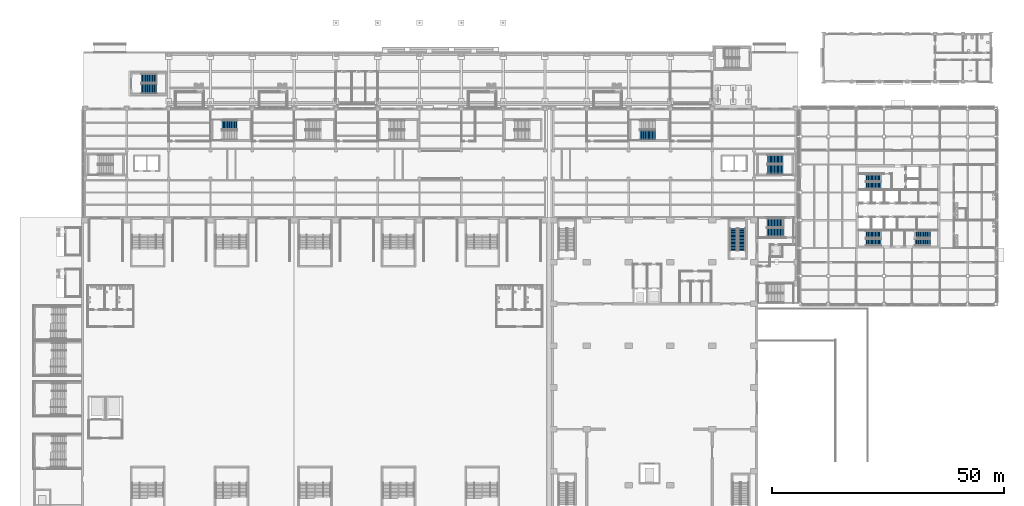
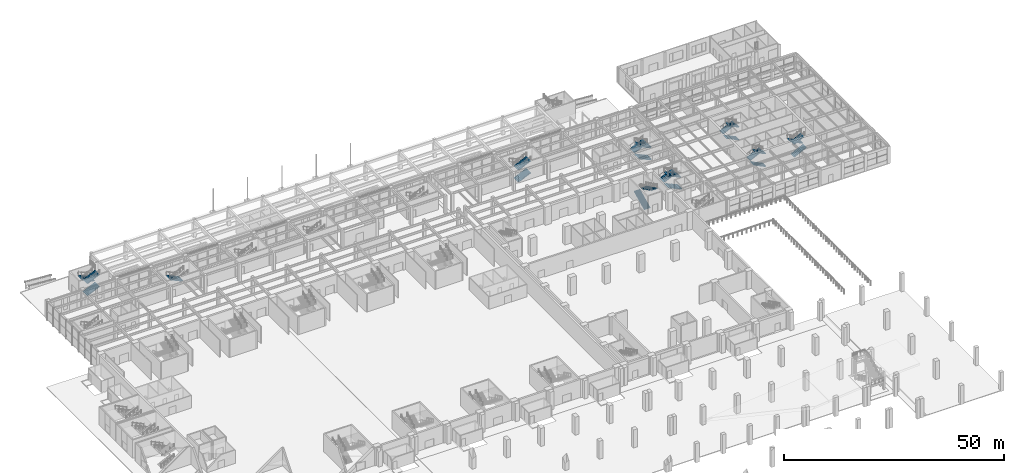
# One storey, part 59 of 77: 23 stair flights, 9 elements without a shape of their own.
"""IFC4 building model written with IfcOpenShell, lengths in metres."""

from ifc_helpers import new_model, si_unit, direction, frame, origin, place, context, subcontext, project, spatial, polyline, outline, extrude, material, type_object, element, aggregate, save


model = new_model("IFC4")

# Units and contexts
model_context = context("Model", 3, precision=1e-05, world=origin(), true_north=direction((0.0, 1.0)))
body_context = subcontext(model_context, "Body", "Model", "MODEL_VIEW")
ifc_project = project(units=[si_unit("LENGTHUNIT", "METRE"), si_unit("AREAUNIT", "SQUARE_METRE"), si_unit("VOLUMEUNIT", "CUBIC_METRE"), si_unit("PLANEANGLEUNIT", "RADIAN"), si_unit("MASSUNIT", "GRAM", prefix="KILO")], contexts=[model_context])

# Site, building, storey
site_placement = place(None, origin())
site = spatial("IfcSite", under=ifc_project, at=site_placement, CompositionType="ELEMENT")
building_placement = place(site_placement, origin())
building = spatial("IfcBuilding", under=site, at=building_placement, Name="Aravalli Gate Trade Fair Centre", CompositionType="ELEMENT")
storey_placement = place(building_placement, origin())
storey = spatial("IfcBuildingStorey", under=building, at=storey_placement, Name="L00", CompositionType="ELEMENT", Elevation=0.0)

# Stair, stair flights
ifc_material_1 = material(Name="Concrete M30", Category="concrete")
stair_type_1 = type_object("IfcStairType", Name="Concourse stair, 2000 wide", PredefinedType="HALF_TURN_STAIR", material=ifc_material_1)
stair_1_placement = place(storey_placement, origin())
stair_1 = element("IfcStair", 1, at=stair_1_placement, inside=storey, type_object=stair_type_1, Name="Stair ES L00", PredefinedType="HALF_TURN_STAIR")
stair_flight_type_1 = type_object("IfcStairFlightType", Name="Concourse stair flight 2000", PredefinedType="STRAIGHT", material=ifc_material_1)
stair_flight_1_placement = place(storey_placement, frame((156.199951171875, 119.89990234375, 0.0), z_axis=(0.0, 0.0, 1.0), x_axis=(-1.0, 0.0, 0.0)))
stair_flight_1 = element("IfcStairFlight", 2, at=stair_flight_1_placement, type_object=stair_flight_type_1, Name="STES-L00 flight 1", NumberOfRisers=12, NumberOfTreads=11, PredefinedType="STRAIGHT", RiserHeight=0.138888889, TreadLength=0.3, context=body_context, shape_type="SweptSolid", body=[
    extrude(outline(polyline([(0.0, 0.0), (0.0, 0.138916015625), (0.300048828125, 0.138916015625), (0.300048828125, 0.27783203125), (0.60009765625, 0.27783203125), (0.60009765625, 0.416748046875), (0.89990234375, 0.416748046875), (0.89990234375, 0.5556640625), (1.199951171875, 0.5556640625), (1.199951171875, 0.6943359375), (1.5, 0.6943359375), (1.5, 0.833251953125), (1.800048828125, 0.833251953125), (1.800048828125, 0.97216796875), (2.10009765625, 0.97216796875), (2.10009765625, 1.111083984375), (2.39990234375, 1.111083984375), (2.39990234375, 1.25), (2.699951171875, 1.25), (2.699951171875, 1.388916015625), (3.0, 1.388916015625), (3.0, 1.52783203125), (3.300048828125, 1.52783203125), (3.300048828125, 1.666748046875), (3.300048828125, 1.307373046875), (0.475830078125, 0.0), (0.0, 0.0)])), frame((0.0, 1.0, 0.0), z_axis=(0.0, -1.0, 0.0), x_axis=(1.0, 0.0, 0.0)), (0.0, 0.0, 1.0), 2.0),
])
stair_flight_2_placement = place(storey_placement, frame((152.89990234375, 122.10009765625, 1.666748046875), z_axis=(0.0, 0.0, 1.0), x_axis=(1.0, 0.0, 0.0)))
stair_flight_2 = element("IfcStairFlight", 3, at=stair_flight_2_placement, type_object=stair_flight_type_1, Name="STES-L00 flight 2", NumberOfRisers=12, NumberOfTreads=11, PredefinedType="STRAIGHT", RiserHeight=0.138888889, TreadLength=0.3, context=body_context, shape_type="SweptSolid", body=[
    extrude(outline(polyline([(0.0, 0.0), (0.0, 0.138916015625), (0.300048828125, 0.138916015625), (0.300048828125, 0.27783203125), (0.60009765625, 0.27783203125), (0.60009765625, 0.416748046875), (0.89990234375, 0.416748046875), (0.89990234375, 0.5556640625), (1.199951171875, 0.5556640625), (1.199951171875, 0.6943359375), (1.5, 0.6943359375), (1.5, 0.833251953125), (1.800048828125, 0.833251953125), (1.800048828125, 0.97216796875), (2.10009765625, 0.97216796875), (2.10009765625, 1.111083984375), (2.39990234375, 1.111083984375), (2.39990234375, 1.25), (2.699951171875, 1.25), (2.699951171875, 1.388916015625), (3.0, 1.388916015625), (3.0, 1.52783203125), (3.300048828125, 1.52783203125), (3.300048828125, 1.666748046875), (3.300048828125, 1.307373046875), (0.475830078125, 0.0), (0.0, 0.0)])), frame((0.0, 1.0, 0.0), z_axis=(0.0, -1.0, 0.0), x_axis=(1.0, 0.0, 0.0)), (0.0, 0.0, 1.0), 2.0),
])
stair_flight_3_placement = place(storey_placement, frame((156.199951171875, 119.89990234375, 3.333251953125), z_axis=(0.0, 0.0, 1.0), x_axis=(-1.0, 0.0, 0.0)))
stair_flight_3 = element("IfcStairFlight", 4, at=stair_flight_3_placement, type_object=stair_flight_type_1, Name="STES-L00 flight 3", NumberOfRisers=12, NumberOfTreads=11, PredefinedType="STRAIGHT", RiserHeight=0.138888889, TreadLength=0.3, context=body_context, shape_type="SweptSolid", body=[
    extrude(outline(polyline([(0.0, 0.0), (0.0, 0.138916015625), (0.300048828125, 0.138916015625), (0.300048828125, 0.27783203125), (0.60009765625, 0.27783203125), (0.60009765625, 0.416748046875), (0.89990234375, 0.416748046875), (0.89990234375, 0.5556640625), (1.199951171875, 0.5556640625), (1.199951171875, 0.6943359375), (1.5, 0.6943359375), (1.5, 0.833251953125), (1.800048828125, 0.833251953125), (1.800048828125, 0.97216796875), (2.10009765625, 0.97216796875), (2.10009765625, 1.111083984375), (2.39990234375, 1.111083984375), (2.39990234375, 1.25), (2.699951171875, 1.25), (2.699951171875, 1.388916015625), (3.0, 1.388916015625), (3.0, 1.52783203125), (3.300048828125, 1.52783203125), (3.300048828125, 1.666748046875), (3.300048828125, 1.307373046875), (0.475830078125, 0.0), (0.0, 0.0)])), frame((0.0, 1.0, 0.0), z_axis=(0.0, -1.0, 0.0), x_axis=(1.0, 0.0, 0.0)), (0.0, 0.0, 1.0), 2.0),
])
aggregate(stair_1, [stair_flight_1, stair_flight_2, stair_flight_3])

# Stair, stair flight
stair_2_placement = place(storey_placement, origin())
stair_2 = element("IfcStair", 5, at=stair_2_placement, inside=storey, type_object=stair_type_1, Name="Stair XA L00", PredefinedType="HALF_TURN_STAIR")
stair_flight_4_placement = place(storey_placement, frame((38.75, 129.5, 1.666748046875), z_axis=(0.0, 0.0, 1.0), x_axis=(-1.0, 0.0, 0.0)))
stair_flight_4 = element("IfcStairFlight", 6, at=stair_flight_4_placement, type_object=stair_flight_type_1, Name="STXA-L00 flight 2", NumberOfRisers=12, NumberOfTreads=11, PredefinedType="STRAIGHT", RiserHeight=0.138888889, TreadLength=0.3, context=body_context, shape_type="SweptSolid", body=[
    extrude(outline(polyline([(0.0, 0.0), (0.0, 0.138916015625), (0.300048828125, 0.138916015625), (0.300048828125, 0.27783203125), (0.60009765625, 0.27783203125), (0.60009765625, 0.416748046875), (0.89990234375, 0.416748046875), (0.89990234375, 0.5556640625), (1.199951171875, 0.5556640625), (1.199951171875, 0.6943359375), (1.5, 0.6943359375), (1.5, 0.833251953125), (1.800048828125, 0.833251953125), (1.800048828125, 0.97216796875), (2.10009765625, 0.97216796875), (2.10009765625, 1.111083984375), (2.39990234375, 1.111083984375), (2.39990234375, 1.25), (2.699951171875, 1.25), (2.699951171875, 1.388916015625), (3.0, 1.388916015625), (3.0, 1.52783203125), (3.300048828125, 1.52783203125), (3.300048828125, 1.666748046875), (3.300048828125, 1.307373046875), (0.475830078125, 0.0), (0.0, 0.0)])), frame((0.0, 1.0, 0.0), z_axis=(0.0, -1.0, 0.0), x_axis=(1.0, 0.0, 0.0)), (0.0, 0.0, 1.0), 2.0),
])
aggregate(stair_2, [stair_flight_4])

# Stair, stair flights
stair_3_placement = place(storey_placement, origin())
stair_3 = element("IfcStair", 7, at=stair_3_placement, inside=storey, type_object=stair_type_1, Name="Stair XE L00", PredefinedType="HALF_TURN_STAIR")
stair_flight_5_placement = place(storey_placement, frame((125.449951171875, 127.300048828125, 0.0), z_axis=(0.0, 0.0, 1.0), x_axis=(1.0, 0.0, 0.0)))
stair_flight_5 = element("IfcStairFlight", 8, at=stair_flight_5_placement, type_object=stair_flight_type_1, Name="STXE-L00 flight 1", NumberOfRisers=12, NumberOfTreads=11, PredefinedType="STRAIGHT", RiserHeight=0.138888889, TreadLength=0.3, context=body_context, shape_type="SweptSolid", body=[
    extrude(outline(polyline([(0.0, 0.0), (0.0, 0.138916015625), (0.300048828125, 0.138916015625), (0.300048828125, 0.27783203125), (0.60009765625, 0.27783203125), (0.60009765625, 0.416748046875), (0.89990234375, 0.416748046875), (0.89990234375, 0.5556640625), (1.199951171875, 0.5556640625), (1.199951171875, 0.6943359375), (1.5, 0.6943359375), (1.5, 0.833251953125), (1.800048828125, 0.833251953125), (1.800048828125, 0.97216796875), (2.10009765625, 0.97216796875), (2.10009765625, 1.111083984375), (2.39990234375, 1.111083984375), (2.39990234375, 1.25), (2.699951171875, 1.25), (2.699951171875, 1.388916015625), (3.0, 1.388916015625), (3.0, 1.52783203125), (3.300048828125, 1.52783203125), (3.300048828125, 1.666748046875), (3.300048828125, 1.307373046875), (0.475830078125, 0.0), (0.0, 0.0)])), frame((0.0, 1.0, 0.0), z_axis=(0.0, -1.0, 0.0), x_axis=(1.0, 0.0, 0.0)), (0.0, 0.0, 1.0), 2.0),
])
stair_flight_6_placement = place(storey_placement, frame((125.449951171875, 127.300048828125, 3.333251953125), z_axis=(0.0, 0.0, 1.0), x_axis=(1.0, 0.0, 0.0)))
stair_flight_6 = element("IfcStairFlight", 9, at=stair_flight_6_placement, type_object=stair_flight_type_1, Name="STXE-L00 flight 3", NumberOfRisers=12, NumberOfTreads=11, PredefinedType="STRAIGHT", RiserHeight=0.138888889, TreadLength=0.3, context=body_context, shape_type="SweptSolid", body=[
    extrude(outline(polyline([(0.0, 0.0), (0.0, 0.138916015625), (0.300048828125, 0.138916015625), (0.300048828125, 0.27783203125), (0.60009765625, 0.27783203125), (0.60009765625, 0.416748046875), (0.89990234375, 0.416748046875), (0.89990234375, 0.5556640625), (1.199951171875, 0.5556640625), (1.199951171875, 0.6943359375), (1.5, 0.6943359375), (1.5, 0.833251953125), (1.800048828125, 0.833251953125), (1.800048828125, 0.97216796875), (2.10009765625, 0.97216796875), (2.10009765625, 1.111083984375), (2.39990234375, 1.111083984375), (2.39990234375, 1.25), (2.699951171875, 1.25), (2.699951171875, 1.388916015625), (3.0, 1.388916015625), (3.0, 1.52783203125), (3.300048828125, 1.52783203125), (3.300048828125, 1.666748046875), (3.300048828125, 1.307373046875), (0.475830078125, 0.0), (0.0, 0.0)])), frame((0.0, 1.0, 0.0), z_axis=(0.0, -1.0, 0.0), x_axis=(1.0, 0.0, 0.0)), (0.0, 0.0, 1.0), 2.0),
])
aggregate(stair_3, [stair_flight_5, stair_flight_6])

stair_4_placement = place(storey_placement, origin())
stair_4 = element("IfcStair", 10, at=stair_4_placement, inside=storey, type_object=stair_type_1, Name="Stair AS L00", PredefinedType="HALF_TURN_STAIR")
stair_flight_7_placement = place(storey_placement, frame((18.10009765625, 137.300048828125, 0.0), z_axis=(0.0, 0.0, 1.0), x_axis=(1.0, 0.0, 0.0)))
stair_flight_7 = element("IfcStairFlight", 11, at=stair_flight_7_placement, type_object=stair_flight_type_1, Name="STAS-L00 flight 1", NumberOfRisers=12, NumberOfTreads=11, PredefinedType="STRAIGHT", RiserHeight=0.138888889, TreadLength=0.3, context=body_context, shape_type="SweptSolid", body=[
    extrude(outline(polyline([(0.0, 0.0), (0.0, 0.138916015625), (0.300048828125, 0.138916015625), (0.300048828125, 0.27783203125), (0.60009765625, 0.27783203125), (0.60009765625, 0.416748046875), (0.89990234375, 0.416748046875), (0.89990234375, 0.5556640625), (1.199951171875, 0.5556640625), (1.199951171875, 0.6943359375), (1.5, 0.6943359375), (1.5, 0.833251953125), (1.800048828125, 0.833251953125), (1.800048828125, 0.97216796875), (2.10009765625, 0.97216796875), (2.10009765625, 1.111083984375), (2.39990234375, 1.111083984375), (2.39990234375, 1.25), (2.699951171875, 1.25), (2.699951171875, 1.388916015625), (3.0, 1.388916015625), (3.0, 1.52783203125), (3.300048828125, 1.52783203125), (3.300048828125, 1.666748046875), (3.300048828125, 1.307373046875), (0.475830078125, 0.0), (0.0, 0.0)])), frame((0.0, 1.0, 0.0), z_axis=(0.0, -1.0, 0.0), x_axis=(1.0, 0.0, 0.0)), (0.0, 0.0, 1.0), 2.0),
])
stair_flight_8_placement = place(storey_placement, frame((21.39990234375, 139.5, 1.666748046875), z_axis=(0.0, 0.0, 1.0), x_axis=(-1.0, 0.0, 0.0)))
stair_flight_8 = element("IfcStairFlight", 12, at=stair_flight_8_placement, type_object=stair_flight_type_1, Name="STAS-L00 flight 2", NumberOfRisers=12, NumberOfTreads=11, PredefinedType="STRAIGHT", RiserHeight=0.138888889, TreadLength=0.3, context=body_context, shape_type="SweptSolid", body=[
    extrude(outline(polyline([(0.0, 0.0), (0.0, 0.138916015625), (0.300048828125, 0.138916015625), (0.300048828125, 0.27783203125), (0.60009765625, 0.27783203125), (0.60009765625, 0.416748046875), (0.89990234375, 0.416748046875), (0.89990234375, 0.5556640625), (1.199951171875, 0.5556640625), (1.199951171875, 0.6943359375), (1.5, 0.6943359375), (1.5, 0.833251953125), (1.800048828125, 0.833251953125), (1.800048828125, 0.97216796875), (2.10009765625, 0.97216796875), (2.10009765625, 1.111083984375), (2.39990234375, 1.111083984375), (2.39990234375, 1.25), (2.699951171875, 1.25), (2.699951171875, 1.388916015625), (3.0, 1.388916015625), (3.0, 1.52783203125), (3.300048828125, 1.52783203125), (3.300048828125, 1.666748046875), (3.300048828125, 1.307373046875), (0.475830078125, 0.0), (0.0, 0.0)])), frame((0.0, 1.0, 0.0), z_axis=(0.0, -1.0, 0.0), x_axis=(1.0, 0.0, 0.0)), (0.0, 0.0, 1.0), 2.0),
])
stair_flight_9_placement = place(storey_placement, frame((18.10009765625, 137.300048828125, 3.333251953125), z_axis=(0.0, 0.0, 1.0), x_axis=(1.0, 0.0, 0.0)))
stair_flight_9 = element("IfcStairFlight", 13, at=stair_flight_9_placement, type_object=stair_flight_type_1, Name="STAS-L00 flight 3", NumberOfRisers=12, NumberOfTreads=11, PredefinedType="STRAIGHT", RiserHeight=0.138888889, TreadLength=0.3, context=body_context, shape_type="SweptSolid", body=[
    extrude(outline(polyline([(0.0, 0.0), (0.0, 0.138916015625), (0.300048828125, 0.138916015625), (0.300048828125, 0.27783203125), (0.60009765625, 0.27783203125), (0.60009765625, 0.416748046875), (0.89990234375, 0.416748046875), (0.89990234375, 0.5556640625), (1.199951171875, 0.5556640625), (1.199951171875, 0.6943359375), (1.5, 0.6943359375), (1.5, 0.833251953125), (1.800048828125, 0.833251953125), (1.800048828125, 0.97216796875), (2.10009765625, 0.97216796875), (2.10009765625, 1.111083984375), (2.39990234375, 1.111083984375), (2.39990234375, 1.25), (2.699951171875, 1.25), (2.699951171875, 1.388916015625), (3.0, 1.388916015625), (3.0, 1.52783203125), (3.300048828125, 1.52783203125), (3.300048828125, 1.666748046875), (3.300048828125, 1.307373046875), (0.475830078125, 0.0), (0.0, 0.0)])), frame((0.0, 1.0, 0.0), z_axis=(0.0, -1.0, 0.0), x_axis=(1.0, 0.0, 0.0)), (0.0, 0.0, 1.0), 2.0),
])
aggregate(stair_4, [stair_flight_7, stair_flight_8, stair_flight_9])

ifc_material_2 = material(Name="Concrete M45", Category="concrete")
stair_type_2 = type_object("IfcStairType", Name="Congress exit stair", PredefinedType="HALF_TURN_STAIR", material=ifc_material_2)
stair_5_placement = place(storey_placement, origin())
stair_5 = element("IfcStair", 14, at=stair_5_placement, inside=storey, type_object=stair_type_2, Name="Foyer Stair East L00", PredefinedType="HALF_TURN_STAIR")
stair_flight_type_2 = type_object("IfcStairFlightType", Name="Congress exit stair flight", PredefinedType="STRAIGHT", material=ifc_material_2)
stair_flight_10_placement = place(storey_placement, frame((145.60009765625, 102.449951171875, 0.0), z_axis=(0.0, 0.0, 1.0), x_axis=(0.0, 1.0, 0.0)))
stair_flight_10 = element("IfcStairFlight", 15, at=stair_flight_10_placement, type_object=stair_flight_type_2, Name="GX4 flight 1", NumberOfRisers=17, NumberOfTreads=16, PredefinedType="STRAIGHT", RiserHeight=0.147058824, TreadLength=0.3, context=body_context, shape_type="SweptSolid", body=[
    extrude(outline(polyline([(0.0, 0.0), (0.0, 0.14697265625), (0.300048828125, 0.14697265625), (0.300048828125, 0.294189453125), (0.60009765625, 0.294189453125), (0.60009765625, 0.441162109375), (0.89990234375, 0.441162109375), (0.89990234375, 0.588134765625), (1.199951171875, 0.588134765625), (1.199951171875, 0.7353515625), (1.5, 0.7353515625), (1.5, 0.88232421875), (1.800048828125, 0.88232421875), (1.800048828125, 1.029296875), (2.10009765625, 1.029296875), (2.10009765625, 1.176513671875), (2.39990234375, 1.176513671875), (2.39990234375, 1.323486328125), (2.699951171875, 1.323486328125), (2.699951171875, 1.470703125), (3.0, 1.470703125), (3.0, 1.61767578125), (3.300048828125, 1.61767578125), (3.300048828125, 1.7646484375), (3.60009765625, 1.7646484375), (3.60009765625, 1.911865234375), (3.89990234375, 1.911865234375), (3.89990234375, 2.058837890625), (4.199951171875, 2.058837890625), (4.199951171875, 2.205810546875), (4.5, 2.205810546875), (4.5, 2.35302734375), (4.800048828125, 2.35302734375), (4.800048828125, 2.5), (4.800048828125, 2.18603515625), (0.340576171875, 0.0), (0.0, 0.0)])), frame((0.0, 0.800048828125, 0.0), z_axis=(0.0, -1.0, 0.0), x_axis=(1.0, 0.0, 0.0)), (0.0, 0.0, 1.0), 1.60009765625),
])
stair_flight_11_placement = place(storey_placement, frame((147.39990234375, 107.25, 2.5), z_axis=(0.0, 0.0, 1.0), x_axis=(0.0, -1.0, 0.0)))
stair_flight_11 = element("IfcStairFlight", 16, at=stair_flight_11_placement, type_object=stair_flight_type_2, Name="GX4 flight 2", NumberOfRisers=17, NumberOfTreads=16, PredefinedType="STRAIGHT", RiserHeight=0.147058824, TreadLength=0.3, context=body_context, shape_type="SweptSolid", body=[
    extrude(outline(polyline([(0.0, 0.0), (0.0, 0.14697265625), (0.300048828125, 0.14697265625), (0.300048828125, 0.294189453125), (0.60009765625, 0.294189453125), (0.60009765625, 0.441162109375), (0.89990234375, 0.441162109375), (0.89990234375, 0.588134765625), (1.199951171875, 0.588134765625), (1.199951171875, 0.7353515625), (1.5, 0.7353515625), (1.5, 0.88232421875), (1.800048828125, 0.88232421875), (1.800048828125, 1.029296875), (2.10009765625, 1.029296875), (2.10009765625, 1.176513671875), (2.39990234375, 1.176513671875), (2.39990234375, 1.323486328125), (2.699951171875, 1.323486328125), (2.699951171875, 1.470703125), (3.0, 1.470703125), (3.0, 1.61767578125), (3.300048828125, 1.61767578125), (3.300048828125, 1.7646484375), (3.60009765625, 1.7646484375), (3.60009765625, 1.911865234375), (3.89990234375, 1.911865234375), (3.89990234375, 2.058837890625), (4.199951171875, 2.058837890625), (4.199951171875, 2.205810546875), (4.5, 2.205810546875), (4.5, 2.35302734375), (4.800048828125, 2.35302734375), (4.800048828125, 2.5), (4.800048828125, 2.18603515625), (0.340576171875, 0.0), (0.0, 0.0)])), frame((0.0, 0.800048828125, 0.0), z_axis=(0.0, -1.0, 0.0), x_axis=(1.0, 0.0, 0.0)), (0.0, 0.0, 1.0), 1.60009765625),
])
aggregate(stair_5, [stair_flight_10, stair_flight_11])

stair_type_3 = type_object("IfcStairType", Name="Wing core stair", PredefinedType="HALF_TURN_STAIR", material=ifc_material_1)
stair_6_placement = place(storey_placement, origin())
stair_6 = element("IfcStair", 17, at=stair_6_placement, inside=storey, type_object=stair_type_3, Name="Stair S2 L00", PredefinedType="HALF_TURN_STAIR")
stair_flight_type_3 = type_object("IfcStairFlightType", Name="Wing core stair flight", PredefinedType="STRAIGHT", material=ifc_material_1)
stair_flight_12_placement = place(storey_placement, frame((177.35009765625, 104.27001953125, 0.0), z_axis=(0.0, 0.0, 1.0), x_axis=(-1.0, 0.0, 0.0)))
stair_flight_12 = element("IfcStairFlight", 18, at=stair_flight_12_placement, type_object=stair_flight_type_3, Name="TST1 flight 1", NumberOfRisers=12, NumberOfTreads=11, PredefinedType="STRAIGHT", RiserHeight=0.147058824, TreadLength=0.3, context=body_context, shape_type="SweptSolid", body=[
    extrude(outline(polyline([(0.0, 0.0), (0.0, 0.14697265625), (0.300048828125, 0.14697265625), (0.300048828125, 0.294189453125), (0.60009765625, 0.294189453125), (0.60009765625, 0.441162109375), (0.89990234375, 0.441162109375), (0.89990234375, 0.588134765625), (1.199951171875, 0.588134765625), (1.199951171875, 0.7353515625), (1.5, 0.7353515625), (1.5, 0.88232421875), (1.800048828125, 0.88232421875), (1.800048828125, 1.029296875), (2.10009765625, 1.029296875), (2.10009765625, 1.176513671875), (2.39990234375, 1.176513671875), (2.39990234375, 1.323486328125), (2.699951171875, 1.323486328125), (2.699951171875, 1.470703125), (3.0, 1.470703125), (3.0, 1.61767578125), (3.300048828125, 1.61767578125), (3.300048828125, 1.7646484375), (3.300048828125, 1.472900390625), (0.295166015625, 0.0), (0.0, 0.0)])), frame((0.0, 0.77001953125, 0.0), z_axis=(0.0, -1.0, 0.0), x_axis=(1.0, 0.0, 0.0)), (0.0, 0.0, 1.0), 1.5400390625),
])
stair_flight_13_placement = place(storey_placement, frame((174.050048828125, 105.929931640625, 1.7646484375), z_axis=(0.0, 0.0, 1.0), x_axis=(1.0, 0.0, 0.0)))
stair_flight_13 = element("IfcStairFlight", 19, at=stair_flight_13_placement, type_object=stair_flight_type_3, Name="TST1 flight 2", NumberOfRisers=12, NumberOfTreads=11, PredefinedType="STRAIGHT", RiserHeight=0.147058824, TreadLength=0.3, context=body_context, shape_type="SweptSolid", body=[
    extrude(outline(polyline([(0.0, 0.0), (0.0, 0.14697265625), (0.300048828125, 0.14697265625), (0.300048828125, 0.294189453125), (0.60009765625, 0.294189453125), (0.60009765625, 0.441162109375), (0.89990234375, 0.441162109375), (0.89990234375, 0.588134765625), (1.199951171875, 0.588134765625), (1.199951171875, 0.7353515625), (1.5, 0.7353515625), (1.5, 0.88232421875), (1.800048828125, 0.88232421875), (1.800048828125, 1.029296875), (2.10009765625, 1.029296875), (2.10009765625, 1.176513671875), (2.39990234375, 1.176513671875), (2.39990234375, 1.323486328125), (2.699951171875, 1.323486328125), (2.699951171875, 1.470703125), (3.0, 1.470703125), (3.0, 1.61767578125), (3.300048828125, 1.61767578125), (3.300048828125, 1.7646484375), (3.300048828125, 1.472900390625), (0.295166015625, 0.0), (0.0, 0.0)])), frame((0.0, 0.77001953125, 0.0), z_axis=(0.0, -1.0, 0.0), x_axis=(1.0, 0.0, 0.0)), (0.0, 0.0, 1.0), 1.5400390625),
])
stair_flight_14_placement = place(storey_placement, frame((177.35009765625, 104.27001953125, 3.529296875), z_axis=(0.0, 0.0, 1.0), x_axis=(-1.0, 0.0, 0.0)))
stair_flight_14 = element("IfcStairFlight", 20, at=stair_flight_14_placement, type_object=stair_flight_type_3, Name="TST1 flight 3", NumberOfRisers=10, NumberOfTreads=9, PredefinedType="STRAIGHT", RiserHeight=0.147058824, TreadLength=0.3, context=body_context, shape_type="SweptSolid", body=[
    extrude(outline(polyline([(0.0, 0.0), (0.0, 0.14697265625), (0.300048828125, 0.14697265625), (0.300048828125, 0.294189453125), (0.60009765625, 0.294189453125), (0.60009765625, 0.441162109375), (0.89990234375, 0.441162109375), (0.89990234375, 0.588134765625), (1.199951171875, 0.588134765625), (1.199951171875, 0.7353515625), (1.5, 0.7353515625), (1.5, 0.88232421875), (1.800048828125, 0.88232421875), (1.800048828125, 1.029296875), (2.10009765625, 1.029296875), (2.10009765625, 1.176513671875), (2.39990234375, 1.176513671875), (2.39990234375, 1.323486328125), (2.699951171875, 1.323486328125), (2.699951171875, 1.470703125), (2.699951171875, 1.178955078125), (0.295166015625, 0.0), (0.0, 0.0)])), frame((0.0, 0.77001953125, 0.0), z_axis=(0.0, -1.0, 0.0), x_axis=(1.0, 0.0, 0.0)), (0.0, 0.0, 1.0), 1.5400390625),
])
aggregate(stair_6, [stair_flight_12, stair_flight_13, stair_flight_14])

stair_7_placement = place(storey_placement, origin())
stair_7 = element("IfcStair", 21, at=stair_7_placement, inside=storey, type_object=stair_type_3, Name="Stair S1 L00", PredefinedType="HALF_TURN_STAIR")
stair_flight_15_placement = place(storey_placement, frame((184.64990234375, 104.27001953125, 0.0), z_axis=(0.0, 0.0, 1.0), x_axis=(1.0, 0.0, 0.0)))
stair_flight_15 = element("IfcStairFlight", 22, at=stair_flight_15_placement, type_object=stair_flight_type_3, Name="TST1 flight 1", NumberOfRisers=12, NumberOfTreads=11, PredefinedType="STRAIGHT", RiserHeight=0.147058824, TreadLength=0.3, context=body_context, shape_type="SweptSolid", body=[
    extrude(outline(polyline([(0.0, 0.0), (0.0, 0.14697265625), (0.300048828125, 0.14697265625), (0.300048828125, 0.294189453125), (0.60009765625, 0.294189453125), (0.60009765625, 0.441162109375), (0.89990234375, 0.441162109375), (0.89990234375, 0.588134765625), (1.199951171875, 0.588134765625), (1.199951171875, 0.7353515625), (1.5, 0.7353515625), (1.5, 0.88232421875), (1.800048828125, 0.88232421875), (1.800048828125, 1.029296875), (2.10009765625, 1.029296875), (2.10009765625, 1.176513671875), (2.39990234375, 1.176513671875), (2.39990234375, 1.323486328125), (2.699951171875, 1.323486328125), (2.699951171875, 1.470703125), (3.0, 1.470703125), (3.0, 1.61767578125), (3.300048828125, 1.61767578125), (3.300048828125, 1.7646484375), (3.300048828125, 1.472900390625), (0.295166015625, 0.0), (0.0, 0.0)])), frame((0.0, 0.77001953125, 0.0), z_axis=(0.0, -1.0, 0.0), x_axis=(1.0, 0.0, 0.0)), (0.0, 0.0, 1.0), 1.5400390625),
])
stair_flight_16_placement = place(storey_placement, frame((187.949951171875, 105.929931640625, 1.7646484375), z_axis=(0.0, 0.0, 1.0), x_axis=(-1.0, 0.0, 0.0)))
stair_flight_16 = element("IfcStairFlight", 23, at=stair_flight_16_placement, type_object=stair_flight_type_3, Name="TST1 flight 2", NumberOfRisers=12, NumberOfTreads=11, PredefinedType="STRAIGHT", RiserHeight=0.147058824, TreadLength=0.3, context=body_context, shape_type="SweptSolid", body=[
    extrude(outline(polyline([(0.0, 0.0), (0.0, 0.14697265625), (0.300048828125, 0.14697265625), (0.300048828125, 0.294189453125), (0.60009765625, 0.294189453125), (0.60009765625, 0.441162109375), (0.89990234375, 0.441162109375), (0.89990234375, 0.588134765625), (1.199951171875, 0.588134765625), (1.199951171875, 0.7353515625), (1.5, 0.7353515625), (1.5, 0.88232421875), (1.800048828125, 0.88232421875), (1.800048828125, 1.029296875), (2.10009765625, 1.029296875), (2.10009765625, 1.176513671875), (2.39990234375, 1.176513671875), (2.39990234375, 1.323486328125), (2.699951171875, 1.323486328125), (2.699951171875, 1.470703125), (3.0, 1.470703125), (3.0, 1.61767578125), (3.300048828125, 1.61767578125), (3.300048828125, 1.7646484375), (3.300048828125, 1.472900390625), (0.295166015625, 0.0), (0.0, 0.0)])), frame((0.0, 0.77001953125, 0.0), z_axis=(0.0, -1.0, 0.0), x_axis=(1.0, 0.0, 0.0)), (0.0, 0.0, 1.0), 1.5400390625),
])
stair_flight_17_placement = place(storey_placement, frame((184.64990234375, 104.27001953125, 3.529296875), z_axis=(0.0, 0.0, 1.0), x_axis=(1.0, 0.0, 0.0)))
stair_flight_17 = element("IfcStairFlight", 24, at=stair_flight_17_placement, type_object=stair_flight_type_3, Name="TST1 flight 3", NumberOfRisers=10, NumberOfTreads=9, PredefinedType="STRAIGHT", RiserHeight=0.147058824, TreadLength=0.3, context=body_context, shape_type="SweptSolid", body=[
    extrude(outline(polyline([(0.0, 0.0), (0.0, 0.14697265625), (0.300048828125, 0.14697265625), (0.300048828125, 0.294189453125), (0.60009765625, 0.294189453125), (0.60009765625, 0.441162109375), (0.89990234375, 0.441162109375), (0.89990234375, 0.588134765625), (1.199951171875, 0.588134765625), (1.199951171875, 0.7353515625), (1.5, 0.7353515625), (1.5, 0.88232421875), (1.800048828125, 0.88232421875), (1.800048828125, 1.029296875), (2.10009765625, 1.029296875), (2.10009765625, 1.176513671875), (2.39990234375, 1.176513671875), (2.39990234375, 1.323486328125), (2.699951171875, 1.323486328125), (2.699951171875, 1.470703125), (2.699951171875, 1.178955078125), (0.295166015625, 0.0), (0.0, 0.0)])), frame((0.0, 0.77001953125, 0.0), z_axis=(0.0, -1.0, 0.0), x_axis=(1.0, 0.0, 0.0)), (0.0, 0.0, 1.0), 1.5400390625),
])
aggregate(stair_7, [stair_flight_15, stair_flight_16, stair_flight_17])

stair_8_placement = place(storey_placement, origin())
stair_8 = element("IfcStair", 25, at=stair_8_placement, inside=storey, type_object=stair_type_3, Name="Stair FFS L00", PredefinedType="HALF_TURN_STAIR")
stair_flight_18_placement = place(storey_placement, frame((177.35009765625, 116.469970703125, 0.0), z_axis=(0.0, 0.0, 1.0), x_axis=(-1.0, 0.0, 0.0)))
stair_flight_18 = element("IfcStairFlight", 26, at=stair_flight_18_placement, type_object=stair_flight_type_3, Name="TST1 flight 1", NumberOfRisers=12, NumberOfTreads=11, PredefinedType="STRAIGHT", RiserHeight=0.147058824, TreadLength=0.3, context=body_context, shape_type="SweptSolid", body=[
    extrude(outline(polyline([(0.0, 0.0), (0.0, 0.14697265625), (0.300048828125, 0.14697265625), (0.300048828125, 0.294189453125), (0.60009765625, 0.294189453125), (0.60009765625, 0.441162109375), (0.89990234375, 0.441162109375), (0.89990234375, 0.588134765625), (1.199951171875, 0.588134765625), (1.199951171875, 0.7353515625), (1.5, 0.7353515625), (1.5, 0.88232421875), (1.800048828125, 0.88232421875), (1.800048828125, 1.029296875), (2.10009765625, 1.029296875), (2.10009765625, 1.176513671875), (2.39990234375, 1.176513671875), (2.39990234375, 1.323486328125), (2.699951171875, 1.323486328125), (2.699951171875, 1.470703125), (3.0, 1.470703125), (3.0, 1.61767578125), (3.300048828125, 1.61767578125), (3.300048828125, 1.7646484375), (3.300048828125, 1.472900390625), (0.295166015625, 0.0), (0.0, 0.0)])), frame((0.0, 0.77001953125, 0.0), z_axis=(0.0, -1.0, 0.0), x_axis=(1.0, 0.0, 0.0)), (0.0, 0.0, 1.0), 1.5400390625),
])
stair_flight_19_placement = place(storey_placement, frame((174.050048828125, 118.1298828125, 1.7646484375), z_axis=(0.0, 0.0, 1.0), x_axis=(1.0, 0.0, 0.0)))
stair_flight_19 = element("IfcStairFlight", 27, at=stair_flight_19_placement, type_object=stair_flight_type_3, Name="TST1 flight 2", NumberOfRisers=12, NumberOfTreads=11, PredefinedType="STRAIGHT", RiserHeight=0.147058824, TreadLength=0.3, context=body_context, shape_type="SweptSolid", body=[
    extrude(outline(polyline([(0.0, 0.0), (0.0, 0.14697265625), (0.300048828125, 0.14697265625), (0.300048828125, 0.294189453125), (0.60009765625, 0.294189453125), (0.60009765625, 0.441162109375), (0.89990234375, 0.441162109375), (0.89990234375, 0.588134765625), (1.199951171875, 0.588134765625), (1.199951171875, 0.7353515625), (1.5, 0.7353515625), (1.5, 0.88232421875), (1.800048828125, 0.88232421875), (1.800048828125, 1.029296875), (2.10009765625, 1.029296875), (2.10009765625, 1.176513671875), (2.39990234375, 1.176513671875), (2.39990234375, 1.323486328125), (2.699951171875, 1.323486328125), (2.699951171875, 1.470703125), (3.0, 1.470703125), (3.0, 1.61767578125), (3.300048828125, 1.61767578125), (3.300048828125, 1.7646484375), (3.300048828125, 1.472900390625), (0.295166015625, 0.0), (0.0, 0.0)])), frame((0.0, 0.77001953125, 0.0), z_axis=(0.0, -1.0, 0.0), x_axis=(1.0, 0.0, 0.0)), (0.0, 0.0, 1.0), 1.5400390625),
])
stair_flight_20_placement = place(storey_placement, frame((177.35009765625, 116.469970703125, 3.529296875), z_axis=(0.0, 0.0, 1.0), x_axis=(-1.0, 0.0, 0.0)))
stair_flight_20 = element("IfcStairFlight", 28, at=stair_flight_20_placement, type_object=stair_flight_type_3, Name="TST1 flight 3", NumberOfRisers=10, NumberOfTreads=9, PredefinedType="STRAIGHT", RiserHeight=0.147058824, TreadLength=0.3, context=body_context, shape_type="SweptSolid", body=[
    extrude(outline(polyline([(0.0, 0.0), (0.0, 0.14697265625), (0.300048828125, 0.14697265625), (0.300048828125, 0.294189453125), (0.60009765625, 0.294189453125), (0.60009765625, 0.441162109375), (0.89990234375, 0.441162109375), (0.89990234375, 0.588134765625), (1.199951171875, 0.588134765625), (1.199951171875, 0.7353515625), (1.5, 0.7353515625), (1.5, 0.88232421875), (1.800048828125, 0.88232421875), (1.800048828125, 1.029296875), (2.10009765625, 1.029296875), (2.10009765625, 1.176513671875), (2.39990234375, 1.176513671875), (2.39990234375, 1.323486328125), (2.699951171875, 1.323486328125), (2.699951171875, 1.470703125), (2.699951171875, 1.178955078125), (0.295166015625, 0.0), (0.0, 0.0)])), frame((0.0, 0.77001953125, 0.0), z_axis=(0.0, -1.0, 0.0), x_axis=(1.0, 0.0, 0.0)), (0.0, 0.0, 1.0), 1.5400390625),
])
aggregate(stair_8, [stair_flight_18, stair_flight_19, stair_flight_20])

stair_9_placement = place(storey_placement, origin())
stair_9 = element("IfcStair", 29, at=stair_9_placement, inside=storey, type_object=stair_type_3, Name="Stair LB L00", PredefinedType="HALF_TURN_STAIR")
stair_flight_21_placement = place(storey_placement, frame((156.39990234375, 106.35009765625, 0.0), z_axis=(0.0, 0.0, 1.0), x_axis=(-1.0, 0.0, 0.0)))
stair_flight_21 = element("IfcStairFlight", 30, at=stair_flight_21_placement, type_object=stair_flight_type_3, Name="TST1 flight 1", NumberOfRisers=12, NumberOfTreads=11, PredefinedType="STRAIGHT", RiserHeight=0.147058824, TreadLength=0.327, context=body_context, shape_type="SweptSolid", body=[
    extrude(outline(polyline([(0.0, 0.0), (0.0, 0.14697265625), (0.326904296875, 0.14697265625), (0.326904296875, 0.294189453125), (0.654052734375, 0.294189453125), (0.654052734375, 0.441162109375), (0.98095703125, 0.441162109375), (0.98095703125, 0.588134765625), (1.30810546875, 0.588134765625), (1.30810546875, 0.7353515625), (1.635009765625, 0.7353515625), (1.635009765625, 0.88232421875), (1.9619140625, 0.88232421875), (1.9619140625, 1.029296875), (2.2890625, 1.029296875), (2.2890625, 1.176513671875), (2.615966796875, 1.176513671875), (2.615966796875, 1.323486328125), (2.943115234375, 1.323486328125), (2.943115234375, 1.470703125), (3.27001953125, 1.470703125), (3.27001953125, 1.61767578125), (3.596923828125, 1.61767578125), (3.596923828125, 1.7646484375), (3.596923828125, 1.475341796875), (0.316650390625, 0.0), (0.0, 0.0)])), frame((0.0, 1.0, 0.0), z_axis=(0.0, -1.0, 0.0), x_axis=(1.0, 0.0, 0.0)), (0.0, 0.0, 1.0), 2.0),
])
stair_flight_22_placement = place(storey_placement, frame((152.802978515625, 108.449951171875, 1.7646484375), z_axis=(0.0, 0.0, 1.0), x_axis=(1.0, 0.0, 0.0)))
stair_flight_22 = element("IfcStairFlight", 31, at=stair_flight_22_placement, type_object=stair_flight_type_3, Name="TST1 flight 2", NumberOfRisers=11, NumberOfTreads=10, PredefinedType="STRAIGHT", RiserHeight=0.147058824, TreadLength=0.327, context=body_context, shape_type="SweptSolid", body=[
    extrude(outline(polyline([(0.0, 0.0), (0.0, 0.14697265625), (0.326904296875, 0.14697265625), (0.326904296875, 0.294189453125), (0.654052734375, 0.294189453125), (0.654052734375, 0.441162109375), (0.98095703125, 0.441162109375), (0.98095703125, 0.588134765625), (1.30810546875, 0.588134765625), (1.30810546875, 0.7353515625), (1.635009765625, 0.7353515625), (1.635009765625, 0.88232421875), (1.9619140625, 0.88232421875), (1.9619140625, 1.029296875), (2.2890625, 1.029296875), (2.2890625, 1.176513671875), (2.615966796875, 1.176513671875), (2.615966796875, 1.323486328125), (2.943115234375, 1.323486328125), (2.943115234375, 1.470703125), (3.27001953125, 1.470703125), (3.27001953125, 1.61767578125), (3.27001953125, 1.328125), (0.316650390625, 0.0), (0.0, 0.0)])), frame((0.0, 1.0, 0.0), z_axis=(0.0, -1.0, 0.0), x_axis=(1.0, 0.0, 0.0)), (0.0, 0.0, 1.0), 2.0),
])
stair_flight_23_placement = place(storey_placement, frame((156.072998046875, 106.35009765625, 3.38232421875), z_axis=(0.0, 0.0, 1.0), x_axis=(-1.0, 0.0, 0.0)))
stair_flight_23 = element("IfcStairFlight", 32, at=stair_flight_23_placement, type_object=stair_flight_type_3, Name="TST1 flight 3", NumberOfRisers=11, NumberOfTreads=10, PredefinedType="STRAIGHT", RiserHeight=0.147058824, TreadLength=0.327, context=body_context, shape_type="SweptSolid", body=[
    extrude(outline(polyline([(0.0, 0.0), (0.0, 0.14697265625), (0.326904296875, 0.14697265625), (0.326904296875, 0.294189453125), (0.654052734375, 0.294189453125), (0.654052734375, 0.441162109375), (0.98095703125, 0.441162109375), (0.98095703125, 0.588134765625), (1.30810546875, 0.588134765625), (1.30810546875, 0.7353515625), (1.635009765625, 0.7353515625), (1.635009765625, 0.88232421875), (1.9619140625, 0.88232421875), (1.9619140625, 1.029296875), (2.2890625, 1.029296875), (2.2890625, 1.176513671875), (2.615966796875, 1.176513671875), (2.615966796875, 1.323486328125), (2.943115234375, 1.323486328125), (2.943115234375, 1.470703125), (3.27001953125, 1.470703125), (3.27001953125, 1.61767578125), (3.27001953125, 1.328125), (0.316650390625, 0.0), (0.0, 0.0)])), frame((0.0, 1.0, 0.0), z_axis=(0.0, -1.0, 0.0), x_axis=(1.0, 0.0, 0.0)), (0.0, 0.0, 1.0), 2.0),
])
aggregate(stair_9, [stair_flight_21, stair_flight_22, stair_flight_23])

save(model, "model.ifc")
